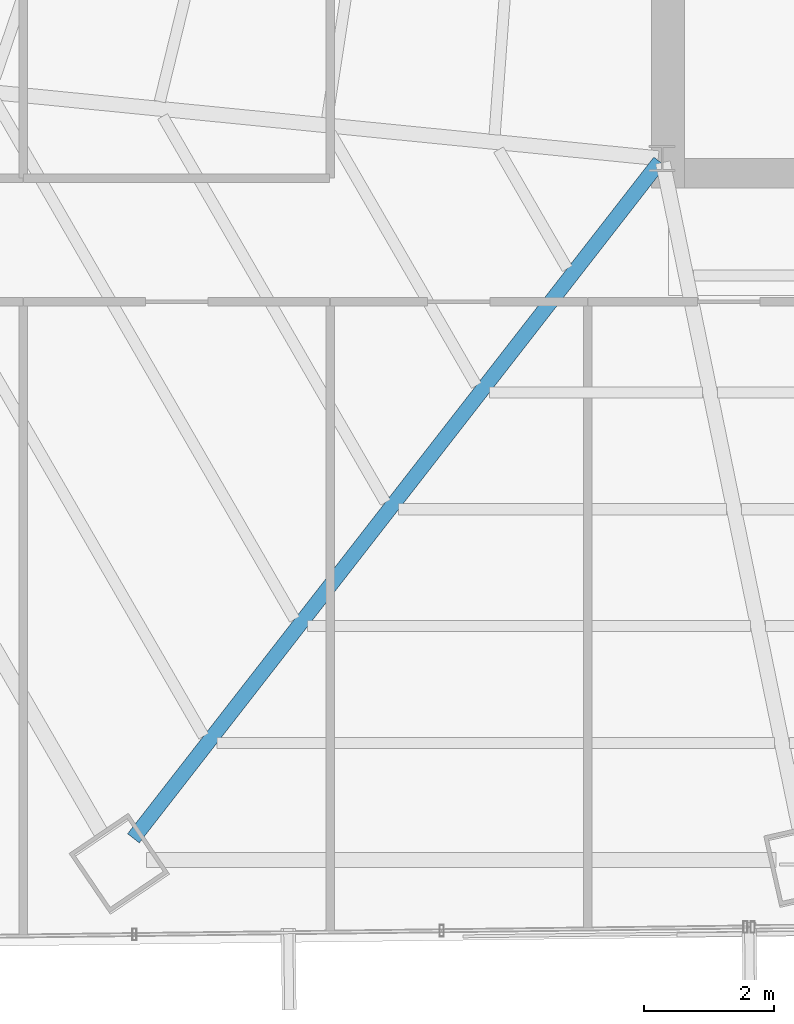
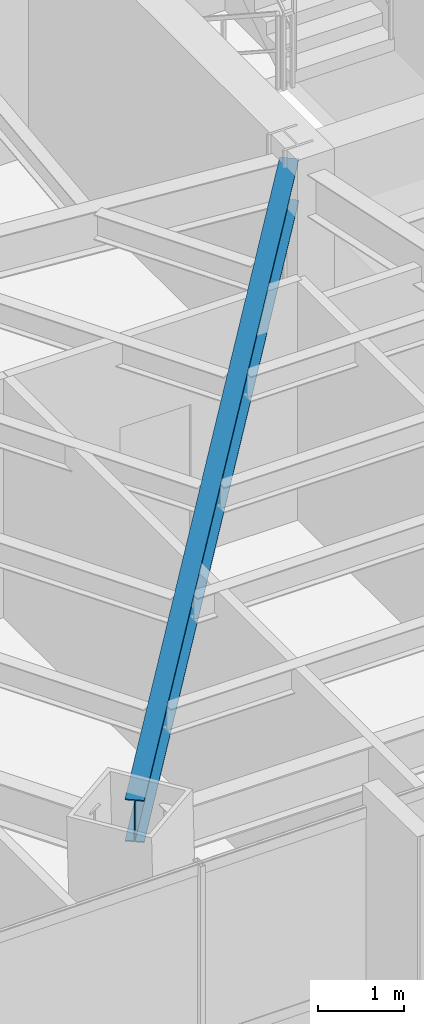
# One storey, part 6 of 37: 1 beam.
"""IFC4 building model written with IfcOpenShell, lengths in metres."""

from ifc_helpers import new_model, si_unit, direction, frame, origin, origin_2d, place, context, subcontext, project, spatial, i_section, extrude, source, transform, mapped, material, material_profile, profile_set, type_object, type_shapes, element, save


model = new_model("IFC4")

# Units and contexts
model_context = context("Model", 3, precision=1e-05, world=origin(), true_north=direction((0.0, 1.0)))
body_context = subcontext(model_context, "Body", "Model", "MODEL_VIEW")
ifc_project = project(units=[si_unit("LENGTHUNIT", "METRE"), si_unit("AREAUNIT", "SQUARE_METRE"), si_unit("VOLUMEUNIT", "CUBIC_METRE"), si_unit("PLANEANGLEUNIT", "RADIAN"), si_unit("MASSUNIT", "GRAM", prefix="KILO")], contexts=[model_context])

# Site, building, storey
site_placement = place(None, origin())
site = spatial("IfcSite", under=ifc_project, at=site_placement, CompositionType="ELEMENT")
building_placement = place(site_placement, origin())
building = spatial("IfcBuilding", under=site, at=building_placement, Name="Caelisora Broadcast Tower", CompositionType="ELEMENT")
storey_placement = place(building_placement, frame((0.0, 0.0, 116.35009765625)))
storey = spatial("IfcBuildingStorey", under=building, at=storey_placement, Name="L30", CompositionType="ELEMENT", Elevation=116.35009765625)

# Beam
ifc_material = material(Name="Steel Grade 350 (AS/NZS 3679.1)", Category="steel")
ifc_material_profile = material_profile(ifc_material, i_section(OverallWidth=0.22802734375, OverallDepth=0.602294921875, WebThickness=0.010498046875, FlangeThickness=0.014892578125, at=origin_2d()), Name="Steel Grade 350 (AS/NZS 3679.1)")
ifc_profile_set = profile_set([ifc_material_profile], Name="Steel Grade 350 (AS/NZS 3679.1)")
beam_type = type_object("IfcBeamType", Name="PG04", PredefinedType="BEAM", material=ifc_profile_set)
shared_shape = source(origin(), body_context, "Body", "SweptSolid", [
    extrude(i_section(OverallWidth=0.22802734375, OverallDepth=0.602294921875, WebThickness=0.010498046875, FlangeThickness=0.014892578125, at=origin_2d()), origin(), (0.0, 0.0, 1.0), 13.1640625),
])
type_shapes(beam_type, [shared_shape])
beam_placement = place(storey_placement, frame((30.463134765625, 17.3525390625, 3.098876953125), z_axis=(-0.613952169135, -0.789343229536, 0.0), x_axis=(0.789343229536, -0.613952169135, 0.0)))
element("IfcBeam", 1, at=beam_placement, inside=storey, type_object=beam_type, Name="L30 beam PG04", PredefinedType="BEAM", context=body_context, shape_type="MappedRepresentation", body=[
    mapped(shared_shape, transform((0.0, 0.0, 0.0), scale=1.0)),
])

save(model, "model.ifc")
